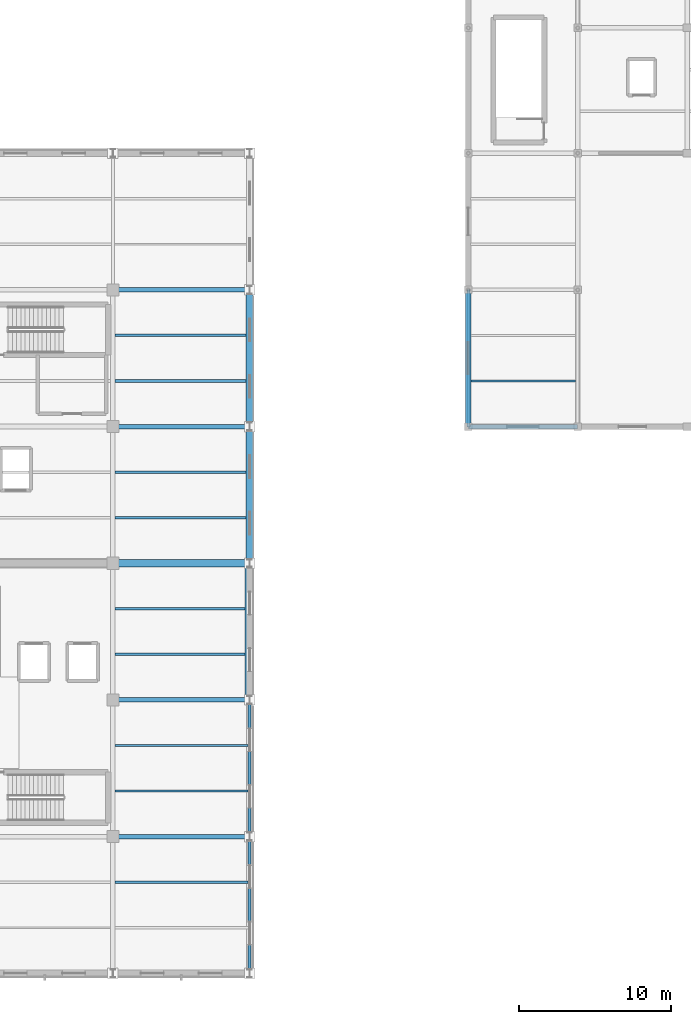
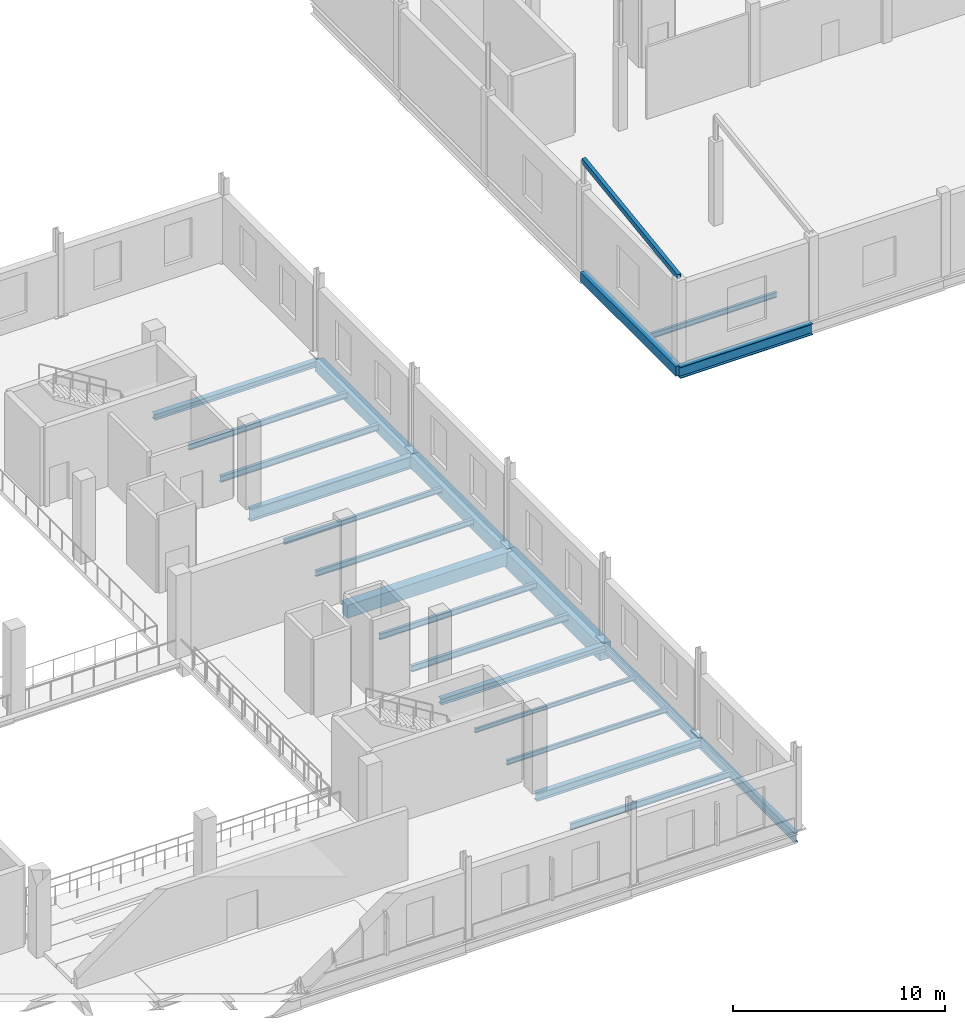
# One storey, part 7 of 35: 22 beams, 1 member.
"""IFC4 building model written with IfcOpenShell, lengths in metres."""

from ifc_helpers import new_model, si_unit, direction, frame, origin, origin_2d, place, context, subcontext, project, spatial, rectangle, hollow_rectangle, i_section, extrude, material, material_profile, profile_set, type_object, element, save


model = new_model("IFC4")

# Units and contexts
model_context = context("Model", 3, precision=1e-05, world=origin(), true_north=direction((0.0, 1.0)))
body_context = subcontext(model_context, "Body", "Model", "MODEL_VIEW")
ifc_project = project(units=[si_unit("LENGTHUNIT", "METRE"), si_unit("AREAUNIT", "SQUARE_METRE"), si_unit("VOLUMEUNIT", "CUBIC_METRE"), si_unit("PLANEANGLEUNIT", "RADIAN"), si_unit("MASSUNIT", "GRAM", prefix="KILO")], contexts=[model_context])

# Site, building, storey
site_placement = place(None, origin())
site = spatial("IfcSite", under=ifc_project, at=site_placement, CompositionType="ELEMENT")
building_placement = place(site_placement, origin())
building = spatial("IfcBuilding", under=site, at=building_placement, Name="Sundgate Opera House", CompositionType="ELEMENT")
storey_placement = place(building_placement, frame((0.0, 0.0, 21.60009765625)))
storey = spatial("IfcBuildingStorey", under=building, at=storey_placement, Name="L04", CompositionType="ELEMENT", Elevation=21.60009765625)

# Beams
ifc_material_1 = material(Name="Steel S355J2", Category="steel")
ifc_material_profile_1 = material_profile(ifc_material_1, i_section(OverallWidth=0.300048828125, OverallDepth=0.330078125, WebThickness=0.009521484375, FlangeThickness=0.0166015625, at=origin_2d()), Name="HEA 340")
ifc_profile_set_1 = profile_set([ifc_material_profile_1], Name="Steel S355J2")
beam_type_1 = type_object("IfcBeamType", Name="BM-GR-HEA340", PredefinedType="BEAM", material=ifc_profile_set_1)
beam_1_placement = place(storey_placement, frame((72.0, 78.0, -0.445068359375), z_axis=(1.0, 0.0, 0.0), x_axis=(0.0, 1.0, 0.0)))
element("IfcBeam", 1, at=beam_1_placement, inside=storey, type_object=beam_type_1, Name="L04 Primary E-W Girder B2978", PredefinedType="BEAM", context=body_context, shape_type="SweptSolid", body=[
    extrude(i_section(OverallWidth=0.300048828125, OverallDepth=0.330078125, WebThickness=0.009521484375, FlangeThickness=0.0166015625, at=origin_2d()), origin(), (0.0, 0.0, 1.0), 9.0),
])
ifc_material_2 = material(Name="Steel S355J2", Category="steel")
ifc_material_profile_2 = material_profile(ifc_material_2, i_section(OverallWidth=0.300048828125, OverallDepth=0.35009765625, WebThickness=0.010009765625, FlangeThickness=0.017578125, at=origin_2d()), Name="HEA 360")
ifc_profile_set_2 = profile_set([ifc_material_profile_2], Name="Steel S355J2")
beam_type_2 = type_object("IfcBeamType", Name="BM-GR-HEA360", PredefinedType="BEAM", material=ifc_profile_set_2)
beam_2_placement = place(storey_placement, frame((72.0, 51.0, -0.455078125), z_axis=(1.0, 0.0, 0.0), x_axis=(0.0, 1.0, 0.0)))
element("IfcBeam", 2, at=beam_2_placement, inside=storey, type_object=beam_type_2, Name="L04 Primary E-W Girder B2955", PredefinedType="BEAM", context=body_context, shape_type="SweptSolid", body=[
    extrude(i_section(OverallWidth=0.300048828125, OverallDepth=0.35009765625, WebThickness=0.010009765625, FlangeThickness=0.017578125, at=origin_2d()), origin(), (0.0, 0.0, 1.0), 9.0),
])
ifc_material_3 = material(Name="Steel S355J2", Category="steel")
ifc_material_profile_3 = material_profile(ifc_material_3, i_section(OverallWidth=0.300048828125, OverallDepth=0.43994140625, WebThickness=0.011474609375, FlangeThickness=0.02099609375, at=origin_2d()), Name="HEA 450")
ifc_profile_set_3 = profile_set([ifc_material_profile_3], Name="Steel S355J2")
beam_type_3 = type_object("IfcBeamType", Name="BM-GR-HEA450", PredefinedType="BEAM", material=ifc_profile_set_3)
beam_3_placement = place(storey_placement, frame((72.0, 42.0, -0.5), z_axis=(1.0, 0.0, 0.0), x_axis=(0.0, 1.0, 0.0)))
element("IfcBeam", 3, at=beam_3_placement, inside=storey, type_object=beam_type_3, Name="L04 Primary E-W Girder B2953", PredefinedType="BEAM", context=body_context, shape_type="SweptSolid", body=[
    extrude(i_section(OverallWidth=0.300048828125, OverallDepth=0.43994140625, WebThickness=0.011474609375, FlangeThickness=0.02099609375, at=origin_2d()), origin(), (0.0, 0.0, 1.0), 9.0),
])
ifc_material_4 = material(Name="Steel S355J2", Category="steel")
ifc_material_profile_4 = material_profile(ifc_material_4, i_section(OverallWidth=0.300048828125, OverallDepth=0.64990234375, WebThickness=0.01611328125, FlangeThickness=0.031005859375, at=origin_2d()), Name="HEB 650")
ifc_profile_set_4 = profile_set([ifc_material_profile_4], Name="Steel S355J2")
beam_type_4 = type_object("IfcBeamType", Name="BM-GR-HEB650", PredefinedType="BEAM", material=ifc_profile_set_4)
beam_4_placement = place(storey_placement, frame((95.39990234375, 69.0, -0.60498046875), z_axis=(1.0, 0.0, 0.0), x_axis=(0.0, 1.0, 0.0)))
element("IfcBeam", 4, at=beam_4_placement, inside=storey, type_object=beam_type_4, Name="L04 Primary E-W Girder B2966", PredefinedType="BEAM", context=body_context, shape_type="SweptSolid", body=[
    extrude(i_section(OverallWidth=0.300048828125, OverallDepth=0.64990234375, WebThickness=0.01611328125, FlangeThickness=0.031005859375, at=origin_2d()), origin(), (0.0, 0.0, 1.0), 7.2001953125),
])
ifc_material_5 = material(Name="Steel S355J2", Category="steel")
ifc_material_profile_5 = material_profile(ifc_material_5, i_section(OverallWidth=0.300048828125, OverallDepth=0.699951171875, WebThickness=0.01708984375, FlangeThickness=0.031982421875, at=origin_2d()), Name="HEB 700")
ifc_profile_set_5 = profile_set([ifc_material_profile_5], Name="Steel S355J2")
beam_type_5 = type_object("IfcBeamType", Name="BM-GR-HEB700", PredefinedType="BEAM", material=ifc_profile_set_5)
beam_5_placement = place(storey_placement, frame((72.0, 69.0, -0.630126953125), z_axis=(1.0, 0.0, 0.0), x_axis=(0.0, 1.0, 0.0)))
element("IfcBeam", 5, at=beam_5_placement, inside=storey, type_object=beam_type_5, Name="L04 Primary E-W Girder B2965", PredefinedType="BEAM", context=body_context, shape_type="SweptSolid", body=[
    extrude(i_section(OverallWidth=0.300048828125, OverallDepth=0.699951171875, WebThickness=0.01708984375, FlangeThickness=0.031982421875, at=origin_2d()), origin(), (0.0, 0.0, 1.0), 9.0),
])
ifc_material_6 = material(Name="Steel S355J2", Category="steel")
ifc_material_profile_6 = material_profile(ifc_material_6, i_section(OverallWidth=0.199951171875, OverallDepth=0.5, WebThickness=0.01025390625, FlangeThickness=0.01611328125, at=origin_2d()), Name="IPE 500")
ifc_profile_set_6 = profile_set([ifc_material_profile_6], Name="Steel S355J2")
beam_type_6 = type_object("IfcBeamType", Name="BM-GR-IPE500", PredefinedType="BEAM", material=ifc_profile_set_6)
beam_6_placement = place(storey_placement, frame((81.0, 42.0, -0.530029296875), z_axis=(0.0, 1.0, 0.0), x_axis=(-1.0, 0.0, 0.0)))
element("IfcBeam", 6, at=beam_6_placement, inside=storey, type_object=beam_type_6, Name="L04 Primary N-S Girder B2915", PredefinedType="BEAM", context=body_context, shape_type="SweptSolid", body=[
    extrude(i_section(OverallWidth=0.199951171875, OverallDepth=0.5, WebThickness=0.01025390625, FlangeThickness=0.01611328125, at=origin_2d()), origin(), (0.0, 0.0, 1.0), 9.0),
])
ifc_material_7 = material(Name="Steel S355J2", Category="steel")
ifc_material_profile_7 = material_profile(ifc_material_7, i_section(OverallWidth=0.2099609375, OverallDepth=0.550048828125, WebThickness=0.010986328125, FlangeThickness=0.01708984375, at=origin_2d()), Name="IPE 550")
ifc_profile_set_7 = profile_set([ifc_material_profile_7], Name="Steel S355J2")
beam_type_7 = type_object("IfcBeamType", Name="BM-GR-IPE550", PredefinedType="BEAM", material=ifc_profile_set_7)
beam_7_placement = place(storey_placement, frame((81.0, 33.0, -0.55517578125), z_axis=(0.0, 1.0, 0.0), x_axis=(-1.0, 0.0, 0.0)))
element("IfcBeam", 7, at=beam_7_placement, inside=storey, type_object=beam_type_7, Name="L04 Primary N-S Girder B2914", PredefinedType="BEAM", context=body_context, shape_type="SweptSolid", body=[
    extrude(i_section(OverallWidth=0.2099609375, OverallDepth=0.550048828125, WebThickness=0.010986328125, FlangeThickness=0.01708984375, at=origin_2d()), origin(), (0.0, 0.0, 1.0), 9.0),
])
ifc_material_8 = material(Name="Steel S355J2", Category="steel")
ifc_material_profile_8 = material_profile(ifc_material_8, i_section(OverallWidth=0.1201171875, OverallDepth=0.239990234375, WebThickness=0.006103515625, FlangeThickness=0.009765625, at=origin_2d()), Name="IPE 240")
ifc_profile_set_8 = profile_set([ifc_material_profile_8], Name="Steel S355J2")
beam_type_8 = type_object("IfcBeamType", Name="BM-JS-IPE240", PredefinedType="JOIST", material=ifc_profile_set_8)
beam_8_placement = place(storey_placement, frame((72.14990234375, 48.0, -0.400146484375), z_axis=(1.0, 0.0, 0.0), x_axis=(0.0, 1.0, 0.0)))
element("IfcBeam", 8, at=beam_8_placement, inside=storey, type_object=beam_type_8, Name="L04 Secondary Floor Joist B3018", PredefinedType="JOIST", context=body_context, shape_type="SweptSolid", body=[
    extrude(i_section(OverallWidth=0.1201171875, OverallDepth=0.239990234375, WebThickness=0.006103515625, FlangeThickness=0.009765625, at=origin_2d()), origin(), (0.0, 0.0, 1.0), 8.75),
])
ifc_material_9 = material(Name="Steel S355J2", Category="steel")
ifc_material_profile_9 = material_profile(ifc_material_9, i_section(OverallWidth=0.135009765625, OverallDepth=0.27001953125, WebThickness=0.006591796875, FlangeThickness=0.01025390625, at=origin_2d()), Name="IPE 270")
ifc_profile_set_9 = profile_set([ifc_material_profile_9], Name="Steel S355J2")
beam_type_9 = type_object("IfcBeamType", Name="BM-JS-IPE270", PredefinedType="JOIST", material=ifc_profile_set_9)
beam_9_placement = place(storey_placement, frame((72.14990234375, 45.0, -0.4150390625), z_axis=(1.0, 0.0, 0.0), x_axis=(0.0, 1.0, 0.0)))
element("IfcBeam", 9, at=beam_9_placement, inside=storey, type_object=beam_type_9, Name="L04 Secondary Floor Joist B3017", PredefinedType="JOIST", context=body_context, shape_type="SweptSolid", body=[
    extrude(i_section(OverallWidth=0.135009765625, OverallDepth=0.27001953125, WebThickness=0.006591796875, FlangeThickness=0.01025390625, at=origin_2d()), origin(), (0.0, 0.0, 1.0), 8.75),
])
ifc_material_10 = material(Name="Steel S355J2", Category="steel")
ifc_material_profile_10 = material_profile(ifc_material_10, i_section(OverallWidth=0.14990234375, OverallDepth=0.300048828125, WebThickness=0.007080078125, FlangeThickness=0.0107421875, at=origin_2d()), Name="IPE 300")
ifc_profile_set_10 = profile_set([ifc_material_profile_10], Name="Steel S355J2")
beam_type_10 = type_object("IfcBeamType", Name="BM-JS-IPE300", PredefinedType="JOIST", material=ifc_profile_set_10)
beam_10_placement = place(storey_placement, frame((72.14990234375, 66.0, -0.43017578125), z_axis=(1.0, 0.0, 0.0), x_axis=(0.0, 1.0, 0.0)))
element("IfcBeam", 10, at=beam_10_placement, inside=storey, type_object=beam_type_10, Name="L04 Secondary Floor Joist B3030", PredefinedType="JOIST", context=body_context, shape_type="SweptSolid", body=[
    extrude(i_section(OverallWidth=0.14990234375, OverallDepth=0.300048828125, WebThickness=0.007080078125, FlangeThickness=0.0107421875, at=origin_2d()), origin(), (0.0, 0.0, 1.0), 8.60009765625),
])
beam_11_placement = place(storey_placement, frame((95.574951171875, 72.0, -0.43017578125), z_axis=(1.0, 0.0, 0.0), x_axis=(0.0, 1.0, 0.0)))
element("IfcBeam", 11, at=beam_11_placement, inside=storey, type_object=beam_type_10, Name="L04 Secondary Floor Joist B3037", PredefinedType="JOIST", context=body_context, shape_type="SweptSolid", body=[
    extrude(i_section(OverallWidth=0.14990234375, OverallDepth=0.300048828125, WebThickness=0.007080078125, FlangeThickness=0.0107421875, at=origin_2d()), origin(), (0.0, 0.0, 1.0), 6.875),
])
ifc_material_11 = material(Name="Steel S355J2", Category="steel")
ifc_material_profile_11 = material_profile(ifc_material_11, i_section(OverallWidth=0.159912109375, OverallDepth=0.330078125, WebThickness=0.007568359375, FlangeThickness=0.011474609375, at=origin_2d()), Name="IPE 330")
ifc_profile_set_11 = profile_set([ifc_material_profile_11], Name="Steel S355J2")
beam_type_11 = type_object("IfcBeamType", Name="BM-JS-IPE330", PredefinedType="JOIST", material=ifc_profile_set_11)
beam_12_placement = place(storey_placement, frame((72.14990234375, 57.0, -0.445068359375), z_axis=(1.0, 0.0, 0.0), x_axis=(0.0, 1.0, 0.0)))
element("IfcBeam", 12, at=beam_12_placement, inside=storey, type_object=beam_type_11, Name="L04 Secondary Floor Joist B3022", PredefinedType="JOIST", context=body_context, shape_type="SweptSolid", body=[
    extrude(i_section(OverallWidth=0.159912109375, OverallDepth=0.330078125, WebThickness=0.007568359375, FlangeThickness=0.011474609375, at=origin_2d()), origin(), (0.0, 0.0, 1.0), 8.550048828125),
])
beam_13_placement = place(storey_placement, frame((72.14990234375, 63.0, -0.445068359375), z_axis=(1.0, 0.0, 0.0), x_axis=(0.0, 1.0, 0.0)))
element("IfcBeam", 13, at=beam_13_placement, inside=storey, type_object=beam_type_11, Name="L04 Secondary Floor Joist B3029", PredefinedType="JOIST", context=body_context, shape_type="SweptSolid", body=[
    extrude(i_section(OverallWidth=0.159912109375, OverallDepth=0.330078125, WebThickness=0.007568359375, FlangeThickness=0.011474609375, at=origin_2d()), origin(), (0.0, 0.0, 1.0), 8.60009765625),
])
beam_14_placement = place(storey_placement, frame((72.14990234375, 75.0, -0.445068359375), z_axis=(1.0, 0.0, 0.0), x_axis=(0.0, 1.0, 0.0)))
element("IfcBeam", 14, at=beam_14_placement, inside=storey, type_object=beam_type_11, Name="L04 Secondary Floor Joist B3036", PredefinedType="JOIST", context=body_context, shape_type="SweptSolid", body=[
    extrude(i_section(OverallWidth=0.159912109375, OverallDepth=0.330078125, WebThickness=0.007568359375, FlangeThickness=0.011474609375, at=origin_2d()), origin(), (0.0, 0.0, 1.0), 8.625),
])
ifc_material_12 = material(Name="Steel S355J2", Category="steel")
ifc_material_profile_12 = material_profile(ifc_material_12, i_section(OverallWidth=0.169921875, OverallDepth=0.360107421875, WebThickness=0.008056640625, FlangeThickness=0.0126953125, at=origin_2d()), Name="IPE 360")
ifc_profile_set_12 = profile_set([ifc_material_profile_12], Name="Steel S355J2")
beam_type_12 = type_object("IfcBeamType", Name="BM-JS-IPE360", PredefinedType="JOIST", material=ifc_profile_set_12)
beam_15_placement = place(storey_placement, frame((72.14990234375, 39.0, -0.460205078125), z_axis=(1.0, 0.0, 0.0), x_axis=(0.0, 1.0, 0.0)))
element("IfcBeam", 15, at=beam_15_placement, inside=storey, type_object=beam_type_12, Name="L04 Secondary Floor Joist B3014", PredefinedType="JOIST", context=body_context, shape_type="SweptSolid", body=[
    extrude(i_section(OverallWidth=0.169921875, OverallDepth=0.360107421875, WebThickness=0.008056640625, FlangeThickness=0.0126953125, at=origin_2d()), origin(), (0.0, 0.0, 1.0), 8.7451171875),
])
beam_16_placement = place(storey_placement, frame((72.14990234375, 54.0, -0.460205078125), z_axis=(1.0, 0.0, 0.0), x_axis=(0.0, 1.0, 0.0)))
element("IfcBeam", 16, at=beam_16_placement, inside=storey, type_object=beam_type_12, Name="L04 Secondary Floor Joist B3021", PredefinedType="JOIST", context=body_context, shape_type="SweptSolid", body=[
    extrude(i_section(OverallWidth=0.169921875, OverallDepth=0.360107421875, WebThickness=0.008056640625, FlangeThickness=0.0126953125, at=origin_2d()), origin(), (0.0, 0.0, 1.0), 8.550048828125),
])
beam_17_placement = place(storey_placement, frame((72.14990234375, 72.0, -0.460205078125), z_axis=(1.0, 0.0, 0.0), x_axis=(0.0, 1.0, 0.0)))
element("IfcBeam", 17, at=beam_17_placement, inside=storey, type_object=beam_type_12, Name="L04 Secondary Floor Joist B3035", PredefinedType="JOIST", context=body_context, shape_type="SweptSolid", body=[
    extrude(i_section(OverallWidth=0.169921875, OverallDepth=0.360107421875, WebThickness=0.008056640625, FlangeThickness=0.0126953125, at=origin_2d()), origin(), (0.0, 0.0, 1.0), 8.625),
])
ifc_material_13 = material(Name="Concrete C35/45", Category="concrete")
ifc_material_profile_13 = material_profile(ifc_material_13, rectangle(XDim=0.35009765625, YDim=0.550048828125, at=origin_2d()), Name="RC 350x550")
ifc_profile_set_13 = profile_set([ifc_material_profile_13], Name="Concrete C35/45")
beam_type_13 = type_object("IfcBeamType", Name="BM-RC-350x550", PredefinedType="BEAM", material=ifc_profile_set_13)
beam_18_placement = place(storey_placement, frame((95.39990234375, 69.0, -0.55517578125), z_axis=(0.0, 1.0, 0.0), x_axis=(-1.0, 0.0, 0.0)))
element("IfcBeam", 18, at=beam_18_placement, inside=storey, type_object=beam_type_13, Name="L04 Primary N-S Girder B2920", PredefinedType="BEAM", context=body_context, shape_type="SweptSolid", body=[
    extrude(rectangle(XDim=0.35009765625, YDim=0.550048828125, at=origin_2d()), origin(), (0.0, 0.0, 1.0), 9.0),
])
ifc_material_14 = material(Name="Concrete C35/45", Category="concrete")
ifc_material_profile_14 = material_profile(ifc_material_14, rectangle(XDim=0.449951171875, YDim=0.64990234375, at=origin_2d()), Name="RC 450x650")
ifc_profile_set_14 = profile_set([ifc_material_profile_14], Name="Concrete C35/45")
beam_type_14 = type_object("IfcBeamType", Name="BM-RC-450x650", PredefinedType="BEAM", material=ifc_profile_set_14)
beam_19_placement = place(storey_placement, frame((81.0, 69.0, -0.60498046875), z_axis=(0.0, 1.0, 0.0), x_axis=(-1.0, 0.0, 0.0)))
element("IfcBeam", 19, at=beam_19_placement, inside=storey, type_object=beam_type_14, Name="L04 Primary N-S Girder B2918", PredefinedType="BEAM", context=body_context, shape_type="SweptSolid", body=[
    extrude(rectangle(XDim=0.449951171875, YDim=0.64990234375, at=origin_2d()), origin(), (0.0, 0.0, 1.0), 9.0),
])
ifc_material_15 = material(Name="Concrete C40/50", Category="concrete")
ifc_material_profile_15 = material_profile(ifc_material_15, rectangle(XDim=0.5, YDim=0.75, at=origin_2d()), Name="RC 500x750")
ifc_profile_set_15 = profile_set([ifc_material_profile_15], Name="Concrete C40/50")
beam_type_15 = type_object("IfcBeamType", Name="BM-RC-500x750", PredefinedType="BEAM", material=ifc_profile_set_15)
for number, where, z_axis, x_axis, name in (
    (20, (81.0, 60.0, -0.655029296875), (0.0, 1.0, 0.0), (-1.0, 0.0, 0.0), "L04 Primary N-S Girder B2917"),
    (21, (72.0, 60.0, -0.655029296875), (1.0, 0.0, 0.0), (0.0, 1.0, 0.0), "L04 Primary E-W Girder B2961"),
):
    element("IfcBeam", number, at=place(storey_placement, frame(where, z_axis=z_axis, x_axis=x_axis)), inside=storey, type_object=beam_type_15, Name=name, PredefinedType="BEAM", context=body_context, shape_type="SweptSolid", body=[
        extrude(rectangle(XDim=0.5, YDim=0.75, at=origin_2d()), origin(), (0.0, 0.0, 1.0), 9.0),
    ])
ifc_material_16 = material(Name="Concrete C40/50", Category="concrete")
ifc_material_profile_16 = material_profile(ifc_material_16, rectangle(XDim=0.60009765625, YDim=0.949951171875, at=origin_2d()), Name="RC 600x950")
ifc_profile_set_16 = profile_set([ifc_material_profile_16], Name="Concrete C40/50")
beam_type_16 = type_object("IfcBeamType", Name="BM-RC-600x950", PredefinedType="BEAM", material=ifc_profile_set_16)
beam_20_placement = place(storey_placement, frame((81.0, 51.0, -0.755126953125), z_axis=(0.0, 1.0, 0.0), x_axis=(-1.0, 0.0, 0.0)))
element("IfcBeam", 22, at=beam_20_placement, inside=storey, type_object=beam_type_16, Name="L04 Primary N-S Girder B2916", PredefinedType="BEAM", context=body_context, shape_type="SweptSolid", body=[
    extrude(rectangle(XDim=0.60009765625, YDim=0.949951171875, at=origin_2d()), origin(), (0.0, 0.0, 1.0), 9.0),
])

# Member
ifc_material_17 = material(Name="Steel S355J2", Category="steel")
ifc_material_profile_17 = material_profile(ifc_material_17, hollow_rectangle(XDim=0.199951171875, YDim=0.300048828125, WallThickness=0.012451171875, at=origin_2d()), Name="RHS 300x200x12.5")
ifc_profile_set_17 = profile_set([ifc_material_profile_17], Name="Steel S355J2")
member_type = type_object("IfcMemberType", Name="MB-ARCH-RHS300", PredefinedType="USERDEFINED", material=ifc_profile_set_17)
member_placement = place(storey_placement, frame((95.39990234375, 69.0, 4.849853515625), z_axis=(0.0, 0.990492273178, 0.137568371275), x_axis=(-1.0, 0.0, 0.0)))
element("IfcMember", 23, at=member_placement, inside=storey, type_object=member_type, Name="Conservatory Vault Rib M0438", ObjectType="ARCH RIB", PredefinedType="USERDEFINED", context=body_context, shape_type="SweptSolid", body=[
    extrude(hollow_rectangle(XDim=0.199951171875, YDim=0.300048828125, WallThickness=0.012451171875, at=origin_2d()), origin(), (0.0, 0.0, 1.0), 9.08642578125),
])

save(model, "model.ifc")
